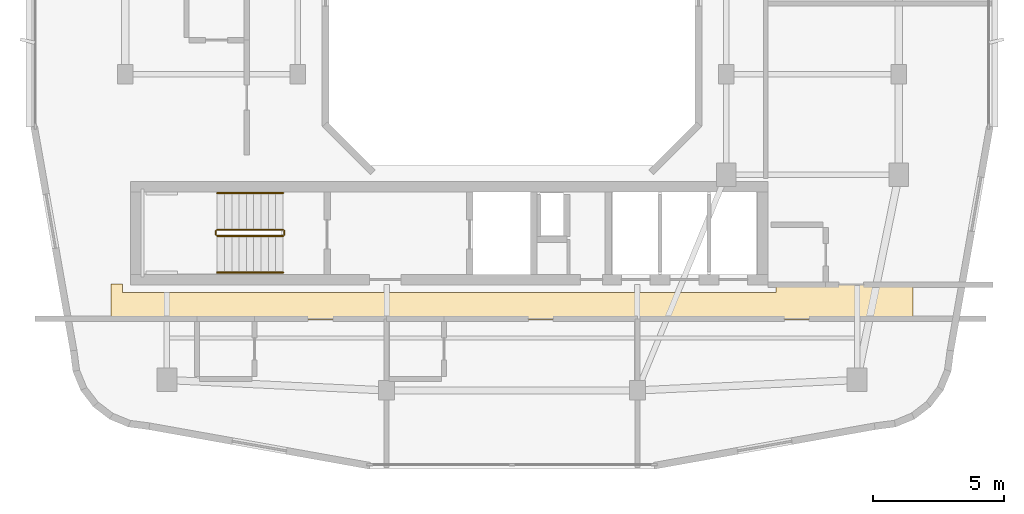
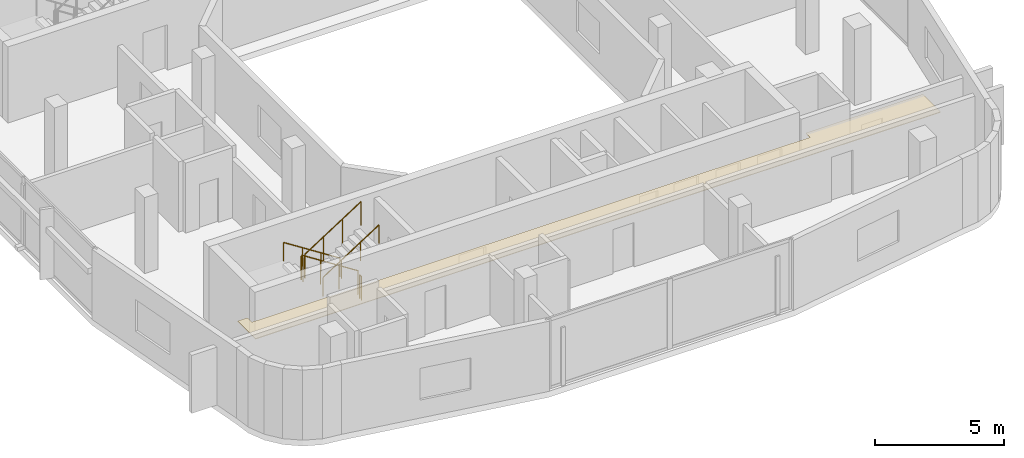
# One storey, part 8 of 10: 6 railings, 1 covering.
"""IFC4 building model written with IfcOpenShell, lengths in metres."""

from ifc_helpers import new_model, si_unit, derived_unit, direction, frame, origin, origin_2d, place, context, subcontext, project, spatial, polyline, circle, outline, extrude, material, layer, layer_set, type_object, element, save


model = new_model("IFC4")

# Units and contexts
model_context = context("Model", 3, precision=1e-05, world=origin(), true_north=direction((0.0, 1.0)))
body_context = subcontext(model_context, "Body", "Model", "MODEL_VIEW")
ifc_project = project(units=[si_unit("LENGTHUNIT", "METRE"), si_unit("AREAUNIT", "SQUARE_METRE"), si_unit("VOLUMEUNIT", "CUBIC_METRE"), si_unit("PLANEANGLEUNIT", "RADIAN"), si_unit("MASSUNIT", "GRAM", prefix="KILO"), derived_unit("THERMALTRANSMITTANCEUNIT", [(si_unit("POWERUNIT", "WATT"), 1), (si_unit("LENGTHUNIT", "METRE"), -2), (si_unit("THERMODYNAMICTEMPERATUREUNIT", "KELVIN"), -1)])], contexts=[model_context])

# Site, building, storey
site_placement = place(None, origin())
site = spatial("IfcSite", under=ifc_project, at=site_placement, CompositionType="ELEMENT")
building_placement = place(site_placement, origin())
building = spatial("IfcBuilding", under=site, at=building_placement, Name="Kivonza Crest Hotel", CompositionType="ELEMENT")
storey_placement = place(building_placement, frame((0.0, 0.0, 246.800048828125)))
storey = spatial("IfcBuildingStorey", under=building, at=storey_placement, Name="L67", CompositionType="ELEMENT", Elevation=246.800048828125)

# Covering
ifc_material_1 = material(Name="Moisture-resistant gypsum plasterboard ceiling", Category="gypsum")
ifc_layer = layer(ifc_material_1, 0.030029296875)
ifc_layer_set = layer_set([ifc_layer], Name="Moisture-resistant gypsum plasterboard ceiling")
covering_type = type_object("IfcCoveringType", Name="CV-CEIL-GYP", PredefinedType="CEILING", material=ifc_layer_set)
covering_placement = place(storey_placement, frame((0.0, 0.0, 2.449951171875)))
element("IfcCovering", 1, at=covering_placement, inside=storey, type_object=covering_type, Name="L67 Hotel South Guest Corridor suspended ceiling", PredefinedType="CEILING", context=body_context, shape_type="SweptSolid", body=[
    extrude(outline(polyline([(36.340087890625, 12.10009765625), (36.340087890625, 13.47998046875), (31.10009765625, 13.47998046875), (31.10009765625, 13.139892578125), (6.10009765625, 13.139892578125), (6.10009765625, 13.47998046875), (5.659912109375, 13.47998046875), (5.659912109375, 12.10009765625), (36.340087890625, 12.10009765625)])), origin(), (0.0, 0.0, 1.0), 0.030029296875),
])

# Railings
ifc_material_2 = material(Name="Brushed stainless steel handrail", Category="steel")
railing_type_1 = type_object("IfcRailingType", Name="RL-HAND-900", PredefinedType="HANDRAIL", material=ifc_material_2)
railing_1_placement = place(storey_placement, frame((12.239990234375, 16.949951171875, 0.179931640625)))
element("IfcRailing", 2, at=railing_1_placement, inside=storey, type_object=railing_type_1, Name="L67 ST-T1-S stair handrail 1", PredefinedType="HANDRAIL", context=body_context, shape_type="SweptSolid", body=[
    extrude(circle(Radius=0.02392578125, at=origin_2d()), frame((0.0, 0.0, 0.8759765625), z_axis=(-0.841162588446, 0.0, 0.540782303519), x_axis=(0.0, -1.0, 0.0)), (0.0, 0.0, 1.0), 2.995849609375),
    extrude(circle(Radius=0.02099609375, at=origin_2d()), origin(), (0.0, 0.0, 1.0), 0.851806640625),
    extrude(circle(Radius=0.02099609375, at=origin_2d()), frame((-0.840087890625, 0.0, 0.5400390625)), (0.0, 0.0, 1.0), 0.851806640625),
    extrude(circle(Radius=0.02099609375, at=origin_2d()), frame((-1.679931640625, 0.0, 1.080078125)), (0.0, 0.0, 1.0), 0.851806640625),
    extrude(circle(Radius=0.02099609375, at=origin_2d()), frame((-2.52001953125, 0.0, 1.6201171875)), (0.0, 0.0, 1.0), 0.851806640625),
])
railing_2_placement = place(storey_placement, frame((9.719970703125, 13.909912109375, 1.97998046875)))
element("IfcRailing", 3, at=railing_2_placement, inside=storey, type_object=railing_type_1, Name="L67 ST-T1-S stair handrail 2", PredefinedType="HANDRAIL", context=body_context, shape_type="SweptSolid", body=[
    extrude(circle(Radius=0.02392578125, at=origin_2d()), frame((0.0, 0.0, 0.8759765625), z_axis=(0.841199657755, 0.0, 0.540724639528), x_axis=(0.0, 1.0, 0.0)), (0.0, 0.0, 1.0), 2.995849609375),
    extrude(circle(Radius=0.02099609375, at=origin_2d()), origin(), (0.0, 0.0, 1.0), 0.851806640625),
    extrude(circle(Radius=0.02099609375, at=origin_2d()), frame((0.840087890625, 0.0, 0.5400390625)), (0.0, 0.0, 1.0), 0.851806640625),
    extrude(circle(Radius=0.02099609375, at=origin_2d()), frame((1.679931640625, 0.0, 1.079833984375)), (0.0, 0.0, 1.0), 0.851806640625),
    extrude(circle(Radius=0.02099609375, at=origin_2d()), frame((2.52001953125, 0.0, 1.619873046875)), (0.0, 0.0, 1.0), 0.851806640625),
])
ifc_material_3 = material(Name="Painted steel balustrade", Category="steel")
railing_type_2 = type_object("IfcRailingType", Name="RL-STAIR-1150", PredefinedType="BALUSTRADE", material=ifc_material_3)
railing_3_placement = place(storey_placement, frame((12.239990234375, 15.550048828125, 0.179931640625)))
element("IfcRailing", 4, at=railing_3_placement, inside=storey, type_object=railing_type_2, Name="L67 ST-T1-S stair guard 1", PredefinedType="BALUSTRADE", context=body_context, shape_type="SweptSolid", body=[
    extrude(circle(Radius=0.02392578125, at=origin_2d()), frame((0.0, 0.0, 1.1259765625), z_axis=(-0.841162588446, 0.0, 0.540782303519), x_axis=(0.0, -1.0, 0.0)), (0.0, 0.0, 1.0), 2.995849609375),
    extrude(circle(Radius=0.02099609375, at=origin_2d()), origin(), (0.0, 0.0, 1.0), 1.101806640625),
    extrude(circle(Radius=0.02099609375, at=origin_2d()), frame((-0.840087890625, 0.0, 0.5400390625)), (0.0, 0.0, 1.0), 1.101806640625),
    extrude(circle(Radius=0.02099609375, at=origin_2d()), frame((-1.679931640625, 0.0, 1.080078125)), (0.0, 0.0, 1.0), 1.101806640625),
    extrude(circle(Radius=0.02099609375, at=origin_2d()), frame((-2.52001953125, 0.0, 1.6201171875)), (0.0, 0.0, 1.0), 1.101806640625),
])
railing_4_placement = place(storey_placement, frame((9.669921875, 15.5, 1.800048828125)))
element("IfcRailing", 5, at=railing_4_placement, inside=storey, type_object=railing_type_2, Name="L67 ST-T1-S stair guard 2", PredefinedType="BALUSTRADE", context=body_context, shape_type="SweptSolid", body=[
    extrude(circle(Radius=0.02392578125, at=origin_2d()), frame((0.0, 0.0, 1.1259765625), z_axis=(0.0, -1.0, 0.0), x_axis=(1.0, 0.0, 0.0)), (0.0, 0.0, 1.0), 0.139892578125),
    extrude(circle(Radius=0.02099609375, at=origin_2d()), origin(), (0.0, 0.0, 1.0), 1.101806640625),
    extrude(circle(Radius=0.02099609375, at=origin_2d()), frame((0.0, -0.139892578125, 0.0)), (0.0, 0.0, 1.0), 1.101806640625),
])
railing_5_placement = place(storey_placement, frame((9.719970703125, 15.31005859375, 1.97998046875)))
element("IfcRailing", 6, at=railing_5_placement, inside=storey, type_object=railing_type_2, Name="L67 ST-T1-S stair guard 3", PredefinedType="BALUSTRADE", context=body_context, shape_type="SweptSolid", body=[
    extrude(circle(Radius=0.02392578125, at=origin_2d()), frame((0.0, 0.0, 1.1259765625), z_axis=(0.841199657755, 0.0, 0.540724639528), x_axis=(0.0, 1.0, 0.0)), (0.0, 0.0, 1.0), 2.995849609375),
    extrude(circle(Radius=0.02099609375, at=origin_2d()), origin(), (0.0, 0.0, 1.0), 1.101806640625),
    extrude(circle(Radius=0.02099609375, at=origin_2d()), frame((0.840087890625, 0.0, 0.5400390625)), (0.0, 0.0, 1.0), 1.101806640625),
    extrude(circle(Radius=0.02099609375, at=origin_2d()), frame((1.679931640625, 0.0, 1.079833984375)), (0.0, 0.0, 1.0), 1.101806640625),
    extrude(circle(Radius=0.02099609375, at=origin_2d()), frame((2.52001953125, 0.0, 1.619873046875)), (0.0, 0.0, 1.0), 1.101806640625),
])
railing_6_placement = place(storey_placement, frame((12.2900390625, 15.5, 0.0)))
element("IfcRailing", 7, at=railing_6_placement, inside=storey, type_object=railing_type_2, Name="L67 ST-T1-S stair guard 4", PredefinedType="BALUSTRADE", context=body_context, shape_type="SweptSolid", body=[
    extrude(circle(Radius=0.02392578125, at=origin_2d()), frame((0.0, 0.0, 1.1259765625), z_axis=(0.0, -1.0, 0.0), x_axis=(1.0, 0.0, 0.0)), (0.0, 0.0, 1.0), 0.139892578125),
    extrude(circle(Radius=0.02099609375, at=origin_2d()), origin(), (0.0, 0.0, 1.0), 1.101806640625),
    extrude(circle(Radius=0.02099609375, at=origin_2d()), frame((0.0, -0.139892578125, 0.0)), (0.0, 0.0, 1.0), 1.101806640625),
])

save(model, "model.ifc")
